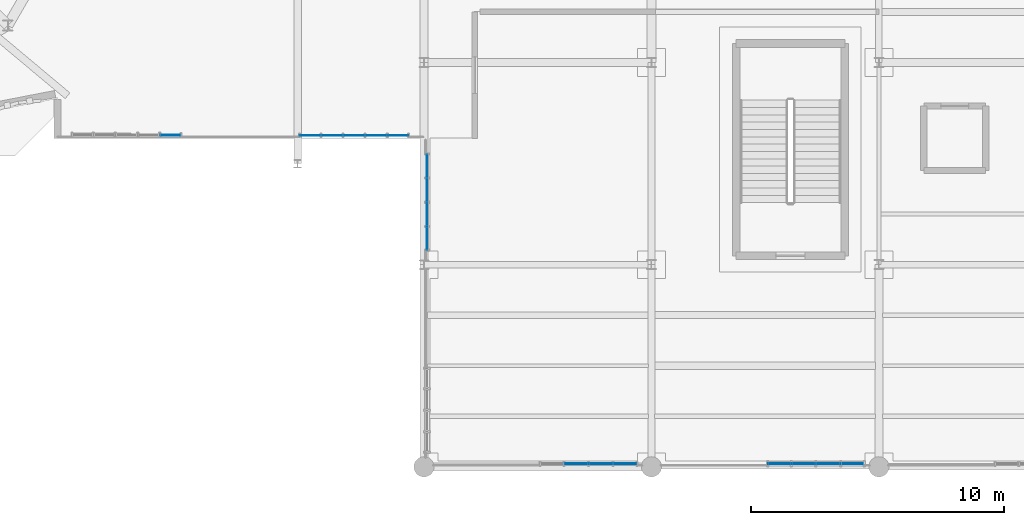
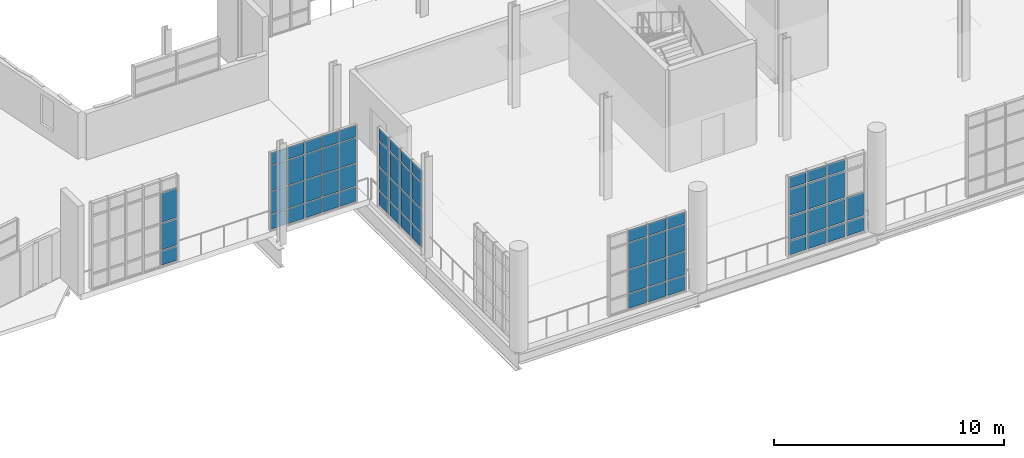
# One storey, part 106 of 142: 65 plates, 5 elements without a shape of their own.
"""IFC4 building model written with IfcOpenShell, lengths in metres."""

from ifc_helpers import new_model, si_unit, direction, frame, origin, origin_2d, place, context, subcontext, project, spatial, rectangle, extrude, material, layer, layer_set, type_object, element, aggregate, save


model = new_model("IFC4")

# Units and contexts
model_context = context("Model", 3, precision=1e-05, world=origin(), true_north=direction((0.0, 1.0)))
body_context = subcontext(model_context, "Body", "Model", "MODEL_VIEW")
ifc_project = project(units=[si_unit("LENGTHUNIT", "METRE"), si_unit("AREAUNIT", "SQUARE_METRE"), si_unit("VOLUMEUNIT", "CUBIC_METRE"), si_unit("PLANEANGLEUNIT", "RADIAN"), si_unit("MASSUNIT", "GRAM", prefix="KILO"), si_unit("THERMODYNAMICTEMPERATUREUNIT", "KELVIN"), si_unit("POWERUNIT", "WATT")], contexts=[model_context])

# Site, building, storey
site_placement = place(None, origin())
site = spatial("IfcSite", under=ifc_project, at=site_placement, CompositionType="ELEMENT")
building_placement = place(site_placement, origin())
building = spatial("IfcBuilding", under=site, at=building_placement, Name="Zelmaris Science Centre", CompositionType="ELEMENT")
storey_placement = place(building_placement, frame((0.0, 0.0, 5.39990234375)))
storey = spatial("IfcBuildingStorey", under=building, at=storey_placement, Name="L01", CompositionType="ELEMENT", Elevation=5.39990234375)

# Curtain wall, plates
ifc_material_1 = material(Name="Anodised architectural aluminium 6063-T6", Category="aluminium")
ifc_layer_1 = layer(ifc_material_1, 0.18994140625, Name="Anodised architectural aluminium 6063-T6")
ifc_layer_set_1 = layer_set([ifc_layer_1], Name="Anodised architectural aluminium 6063-T6")
curtain_wall_type_1 = type_object("IfcCurtainWallType", Name="Curtain Wall CW-01", PredefinedType="USERDEFINED", material=ifc_layer_set_1)
curtain_wall_1_placement = place(storey_placement, origin())
curtain_wall_1 = element("IfcCurtainWall", 1, at=curtain_wall_1_placement, inside=storey, type_object=curtain_wall_type_1, Name="L01 Unitised curtain wall 165", ObjectType="GLAZED CURTAIN WALL", PredefinedType="USERDEFINED")
ifc_material_2 = material(Name="Laminated hurricane-rated low-E insulated glazing", Category="glass")
ifc_layer_2 = layer(ifc_material_2, 0.031982421875, Name="Laminated hurricane-rated low-E insulated glazing")
ifc_layer_set_2 = layer_set([ifc_layer_2], Name="Laminated hurricane-rated low-E insulated glazing")
plate_type_1 = type_object("IfcPlateType", Name="Curtain Glazing Panel CWP-1 32mm", PredefinedType="CURTAIN_PANEL", material=ifc_layer_set_2)
plate_1_placement = place(storey_placement, frame((124.95458984375, 8.1201171875, 0.05712890625), z_axis=(0.0, 0.0, 1.0), x_axis=(-1.0, 0.0, 0.0)))
plate_1 = element("IfcPlate", 2, at=plate_1_placement, type_object=plate_type_1, Name="CW-01 panel 1.1", PredefinedType="CURTAIN_PANEL", context=body_context, shape_type="SweptSolid", body=[
    extrude(rectangle(XDim=0.866943359375, YDim=0.031982421875, at=origin_2d()), origin(), (0.0, 0.0, 1.0), 0.741943359375),
])
plate_2_placement = place(storey_placement, frame((124.95458984375, 8.1201171875, 0.87109375), z_axis=(0.0, 0.0, 1.0), x_axis=(-1.0, 0.0, 0.0)))
plate_2 = element("IfcPlate", 3, at=plate_2_placement, type_object=plate_type_1, Name="CW-01 panel 1.2", PredefinedType="CURTAIN_PANEL", context=body_context, shape_type="SweptSolid", body=[
    extrude(rectangle(XDim=0.866943359375, YDim=0.031982421875, at=origin_2d()), origin(), (0.0, 0.0, 1.0), 1.219970703125),
])
plate_3_placement = place(storey_placement, frame((123.99755859375, 8.1201171875, 0.05712890625), z_axis=(0.0, 0.0, 1.0), x_axis=(-1.0, 0.0, 0.0)))
plate_3 = element("IfcPlate", 4, at=plate_3_placement, type_object=plate_type_1, Name="CW-01 panel 2.1", PredefinedType="CURTAIN_PANEL", context=body_context, shape_type="SweptSolid", body=[
    extrude(rectangle(XDim=0.903076171875, YDim=0.031982421875, at=origin_2d()), origin(), (0.0, 0.0, 1.0), 0.741943359375),
])
plate_4_placement = place(storey_placement, frame((123.99755859375, 8.1201171875, 0.87109375), z_axis=(0.0, 0.0, 1.0), x_axis=(-1.0, 0.0, 0.0)))
plate_4 = element("IfcPlate", 5, at=plate_4_placement, type_object=plate_type_1, Name="CW-01 panel 2.2", PredefinedType="CURTAIN_PANEL", context=body_context, shape_type="SweptSolid", body=[
    extrude(rectangle(XDim=0.903076171875, YDim=0.031982421875, at=origin_2d()), origin(), (0.0, 0.0, 1.0), 1.219970703125),
])
plate_5_placement = place(storey_placement, frame((123.99755859375, 8.1201171875, 2.1630859375), z_axis=(0.0, 0.0, 1.0), x_axis=(-1.0, 0.0, 0.0)))
plate_5 = element("IfcPlate", 6, at=plate_5_placement, type_object=plate_type_1, Name="CW-01 panel 2.3", PredefinedType="CURTAIN_PANEL", context=body_context, shape_type="SweptSolid", body=[
    extrude(rectangle(XDim=0.903076171875, YDim=0.031982421875, at=origin_2d()), origin(), (0.0, 0.0, 1.0), 1.3701171875),
])
plate_6_placement = place(storey_placement, frame((123.99755859375, 8.1201171875, 3.60498046875), z_axis=(0.0, 0.0, 1.0), x_axis=(-1.0, 0.0, 0.0)))
plate_6 = element("IfcPlate", 7, at=plate_6_placement, type_object=plate_type_1, Name="CW-01 panel 2.4", PredefinedType="CURTAIN_PANEL", context=body_context, shape_type="SweptSolid", body=[
    extrude(rectangle(XDim=0.903076171875, YDim=0.031982421875, at=origin_2d()), origin(), (0.0, 0.0, 1.0), 0.592041015625),
])
plate_7_placement = place(storey_placement, frame((123.0224609375, 8.1201171875, 0.05712890625), z_axis=(0.0, 0.0, 1.0), x_axis=(-1.0, 0.0, 0.0)))
plate_7 = element("IfcPlate", 8, at=plate_7_placement, type_object=plate_type_1, Name="CW-01 panel 3.1", PredefinedType="CURTAIN_PANEL", context=body_context, shape_type="SweptSolid", body=[
    extrude(rectangle(XDim=0.903076171875, YDim=0.031982421875, at=origin_2d()), origin(), (0.0, 0.0, 1.0), 0.741943359375),
])
plate_8_placement = place(storey_placement, frame((123.0224609375, 8.1201171875, 0.87109375), z_axis=(0.0, 0.0, 1.0), x_axis=(-1.0, 0.0, 0.0)))
plate_8 = element("IfcPlate", 9, at=plate_8_placement, type_object=plate_type_1, Name="CW-01 panel 3.2", PredefinedType="CURTAIN_PANEL", context=body_context, shape_type="SweptSolid", body=[
    extrude(rectangle(XDim=0.903076171875, YDim=0.031982421875, at=origin_2d()), origin(), (0.0, 0.0, 1.0), 1.219970703125),
])
plate_9_placement = place(storey_placement, frame((123.0224609375, 8.1201171875, 2.1630859375), z_axis=(0.0, 0.0, 1.0), x_axis=(-1.0, 0.0, 0.0)))
plate_9 = element("IfcPlate", 10, at=plate_9_placement, type_object=plate_type_1, Name="CW-01 panel 3.3", PredefinedType="CURTAIN_PANEL", context=body_context, shape_type="SweptSolid", body=[
    extrude(rectangle(XDim=0.903076171875, YDim=0.031982421875, at=origin_2d()), origin(), (0.0, 0.0, 1.0), 1.3701171875),
])
plate_10_placement = place(storey_placement, frame((123.0224609375, 8.1201171875, 3.60498046875), z_axis=(0.0, 0.0, 1.0), x_axis=(-1.0, 0.0, 0.0)))
plate_10 = element("IfcPlate", 11, at=plate_10_placement, type_object=plate_type_1, Name="CW-01 panel 3.4", PredefinedType="CURTAIN_PANEL", context=body_context, shape_type="SweptSolid", body=[
    extrude(rectangle(XDim=0.903076171875, YDim=0.031982421875, at=origin_2d()), origin(), (0.0, 0.0, 1.0), 0.592041015625),
])
plate_11_placement = place(storey_placement, frame((122.0654296875, 8.1201171875, 0.05712890625), z_axis=(0.0, 0.0, 1.0), x_axis=(-1.0, 0.0, 0.0)))
plate_11 = element("IfcPlate", 12, at=plate_11_placement, type_object=plate_type_1, Name="CW-01 panel 4.1", PredefinedType="CURTAIN_PANEL", context=body_context, shape_type="SweptSolid", body=[
    extrude(rectangle(XDim=0.866943359375, YDim=0.031982421875, at=origin_2d()), origin(), (0.0, 0.0, 1.0), 0.741943359375),
])
plate_12_placement = place(storey_placement, frame((122.0654296875, 8.1201171875, 0.87109375), z_axis=(0.0, 0.0, 1.0), x_axis=(-1.0, 0.0, 0.0)))
plate_12 = element("IfcPlate", 13, at=plate_12_placement, type_object=plate_type_1, Name="CW-01 panel 4.2", PredefinedType="CURTAIN_PANEL", context=body_context, shape_type="SweptSolid", body=[
    extrude(rectangle(XDim=0.866943359375, YDim=0.031982421875, at=origin_2d()), origin(), (0.0, 0.0, 1.0), 1.219970703125),
])
plate_13_placement = place(storey_placement, frame((122.0654296875, 8.1201171875, 2.1630859375), z_axis=(0.0, 0.0, 1.0), x_axis=(-1.0, 0.0, 0.0)))
plate_13 = element("IfcPlate", 14, at=plate_13_placement, type_object=plate_type_1, Name="CW-01 panel 4.3", PredefinedType="CURTAIN_PANEL", context=body_context, shape_type="SweptSolid", body=[
    extrude(rectangle(XDim=0.866943359375, YDim=0.031982421875, at=origin_2d()), origin(), (0.0, 0.0, 1.0), 1.3701171875),
])
plate_14_placement = place(storey_placement, frame((122.0654296875, 8.1201171875, 3.60498046875), z_axis=(0.0, 0.0, 1.0), x_axis=(-1.0, 0.0, 0.0)))
plate_14 = element("IfcPlate", 15, at=plate_14_placement, type_object=plate_type_1, Name="CW-01 panel 4.4", PredefinedType="CURTAIN_PANEL", context=body_context, shape_type="SweptSolid", body=[
    extrude(rectangle(XDim=0.866943359375, YDim=0.031982421875, at=origin_2d()), origin(), (0.0, 0.0, 1.0), 0.592041015625),
])
aggregate(curtain_wall_1, [plate_1, plate_2, plate_3, plate_4, plate_5, plate_6, plate_7, plate_8, plate_9, plate_10, plate_11, plate_12, plate_13, plate_14])

ifc_layer_3 = layer(ifc_material_1, 0.199951171875, Name="Anodised architectural aluminium 6063-T6")
ifc_layer_set_3 = layer_set([ifc_layer_3], Name="Anodised architectural aluminium 6063-T6")
curtain_wall_type_2 = type_object("IfcCurtainWallType", Name="Curtain Wall CW-02", PredefinedType="USERDEFINED", material=ifc_layer_set_3)
curtain_wall_2_placement = place(storey_placement, origin())
curtain_wall_2 = element("IfcCurtainWall", 16, at=curtain_wall_2_placement, inside=storey, type_object=curtain_wall_type_2, Name="L01 Unitised curtain wall 174", ObjectType="GLAZED CURTAIN WALL", PredefinedType="USERDEFINED")
ifc_layer_4 = layer(ifc_material_2, 0.028076171875, Name="Laminated hurricane-rated low-E insulated glazing")
ifc_layer_set_4 = layer_set([ifc_layer_4], Name="Laminated hurricane-rated low-E insulated glazing")
plate_type_2 = type_object("IfcPlateType", Name="Curtain Glazing Panel CWP-2 28mm", PredefinedType="CURTAIN_PANEL", material=ifc_layer_set_4)
plate_15_placement = place(storey_placement, frame((97.966064453125, 21.11865234375, 0.052001953125), z_axis=(0.0, 0.0, 1.0), x_axis=(-0.999999948938, 0.00031956903, 0.0)))
plate_15 = element("IfcPlate", 17, at=plate_15_placement, type_object=plate_type_2, Name="CW-02 panel 1.1", PredefinedType="CURTAIN_PANEL", context=body_context, shape_type="SweptSolid", body=[
    extrude(rectangle(XDim=0.775634765625, YDim=0.028076171875, at=origin_2d()), origin(), (0.0, 0.0, 1.0), 0.74951171875),
])
plate_16_placement = place(storey_placement, frame((97.966064453125, 21.11865234375, 0.86865234375), z_axis=(0.0, 0.0, 1.0), x_axis=(-0.999999948938, 0.00031956903, 0.0)))
plate_16 = element("IfcPlate", 18, at=plate_16_placement, type_object=plate_type_2, Name="CW-02 panel 1.2", PredefinedType="CURTAIN_PANEL", context=body_context, shape_type="SweptSolid", body=[
    extrude(rectangle(XDim=0.775634765625, YDim=0.028076171875, at=origin_2d()), origin(), (0.0, 0.0, 1.0), 1.400390625),
])
plate_17_placement = place(storey_placement, frame((97.966064453125, 21.11865234375, 2.3359375), z_axis=(0.0, 0.0, 1.0), x_axis=(-0.999999948938, 0.00031956903, 0.0)))
plate_17 = element("IfcPlate", 19, at=plate_17_placement, type_object=plate_type_2, Name="CW-02 panel 1.3", PredefinedType="CURTAIN_PANEL", context=body_context, shape_type="SweptSolid", body=[
    extrude(rectangle(XDim=0.775634765625, YDim=0.028076171875, at=origin_2d()), origin(), (0.0, 0.0, 1.0), 1.550537109375),
])
aggregate(curtain_wall_2, [plate_15, plate_16, plate_17])

ifc_layer_5 = layer(ifc_material_1, 0.2099609375, Name="Anodised architectural aluminium 6063-T6")
ifc_layer_set_5 = layer_set([ifc_layer_5], Name="Anodised architectural aluminium 6063-T6")
curtain_wall_type_3 = type_object("IfcCurtainWallType", Name="Curtain Wall CW-03", PredefinedType="USERDEFINED", material=ifc_layer_set_5)
curtain_wall_3_placement = place(storey_placement, origin())
curtain_wall_3 = element("IfcCurtainWall", 20, at=curtain_wall_3_placement, inside=storey, type_object=curtain_wall_type_3, Name="L01 Unitised curtain wall 167", ObjectType="GLAZED CURTAIN WALL", PredefinedType="USERDEFINED")
ifc_layer_6 = layer(ifc_material_2, 0.02587890625, Name="Laminated hurricane-rated low-E insulated glazing")
ifc_layer_set_6 = layer_set([ifc_layer_6], Name="Laminated hurricane-rated low-E insulated glazing")
plate_type_3 = type_object("IfcPlateType", Name="Curtain Glazing Panel CWP-3 26mm", PredefinedType="CURTAIN_PANEL", material=ifc_layer_set_6)
plate_18_placement = place(storey_placement, frame((115.958251953125, 8.1201171875, 0.0419921875), z_axis=(0.0, 0.0, 1.0), x_axis=(-1.0, 0.0, 0.0)))
plate_18 = element("IfcPlate", 21, at=plate_18_placement, type_object=plate_type_3, Name="CW-03 panel 1.1", PredefinedType="CURTAIN_PANEL", context=body_context, shape_type="SweptSolid", body=[
    extrude(rectangle(XDim=0.889404296875, YDim=0.02587890625, at=origin_2d()), origin(), (0.0, 0.0, 1.0), 0.764404296875),
])
plate_19_placement = place(storey_placement, frame((115.958251953125, 8.1201171875, 0.86376953125), z_axis=(0.0, 0.0, 1.0), x_axis=(-1.0, 0.0, 0.0)))
plate_19 = element("IfcPlate", 22, at=plate_19_placement, type_object=plate_type_3, Name="CW-03 panel 1.2", PredefinedType="CURTAIN_PANEL", context=body_context, shape_type="SweptSolid", body=[
    extrude(rectangle(XDim=0.889404296875, YDim=0.02587890625, at=origin_2d()), origin(), (0.0, 0.0, 1.0), 1.223388671875),
])
plate_20_placement = place(storey_placement, frame((115.958251953125, 8.1201171875, 2.14404296875), z_axis=(0.0, 0.0, 1.0), x_axis=(-1.0, 0.0, 0.0)))
plate_20 = element("IfcPlate", 23, at=plate_20_placement, type_object=plate_type_3, Name="CW-03 panel 1.3", PredefinedType="CURTAIN_PANEL", context=body_context, shape_type="SweptSolid", body=[
    extrude(rectangle(XDim=0.889404296875, YDim=0.02587890625, at=origin_2d()), origin(), (0.0, 0.0, 1.0), 1.37353515625),
])
plate_21_placement = place(storey_placement, frame((115.958251953125, 8.1201171875, 3.57470703125), z_axis=(0.0, 0.0, 1.0), x_axis=(-1.0, 0.0, 0.0)))
plate_21 = element("IfcPlate", 24, at=plate_21_placement, type_object=plate_type_3, Name="CW-03 panel 1.4", PredefinedType="CURTAIN_PANEL", context=body_context, shape_type="SweptSolid", body=[
    extrude(rectangle(XDim=0.889404296875, YDim=0.02587890625, at=origin_2d()), origin(), (0.0, 0.0, 1.0), 0.614501953125),
])
plate_22_placement = place(storey_placement, frame((114.99755859375, 8.1201171875, 0.0419921875), z_axis=(0.0, 0.0, 1.0), x_axis=(-1.0, 0.0, 0.0)))
plate_22 = element("IfcPlate", 25, at=plate_22_placement, type_object=plate_type_3, Name="CW-03 panel 2.1", PredefinedType="CURTAIN_PANEL", context=body_context, shape_type="SweptSolid", body=[
    extrude(rectangle(XDim=0.91796875, YDim=0.02587890625, at=origin_2d()), origin(), (0.0, 0.0, 1.0), 0.764404296875),
])
plate_23_placement = place(storey_placement, frame((114.99755859375, 8.1201171875, 0.86376953125), z_axis=(0.0, 0.0, 1.0), x_axis=(-1.0, 0.0, 0.0)))
plate_23 = element("IfcPlate", 26, at=plate_23_placement, type_object=plate_type_3, Name="CW-03 panel 2.2", PredefinedType="CURTAIN_PANEL", context=body_context, shape_type="SweptSolid", body=[
    extrude(rectangle(XDim=0.91796875, YDim=0.02587890625, at=origin_2d()), origin(), (0.0, 0.0, 1.0), 1.223388671875),
])
plate_24_placement = place(storey_placement, frame((114.99755859375, 8.1201171875, 2.14404296875), z_axis=(0.0, 0.0, 1.0), x_axis=(-1.0, 0.0, 0.0)))
plate_24 = element("IfcPlate", 27, at=plate_24_placement, type_object=plate_type_3, Name="CW-03 panel 2.3", PredefinedType="CURTAIN_PANEL", context=body_context, shape_type="SweptSolid", body=[
    extrude(rectangle(XDim=0.91796875, YDim=0.02587890625, at=origin_2d()), origin(), (0.0, 0.0, 1.0), 1.37353515625),
])
plate_25_placement = place(storey_placement, frame((114.99755859375, 8.1201171875, 3.57470703125), z_axis=(0.0, 0.0, 1.0), x_axis=(-1.0, 0.0, 0.0)))
plate_25 = element("IfcPlate", 28, at=plate_25_placement, type_object=plate_type_3, Name="CW-03 panel 2.4", PredefinedType="CURTAIN_PANEL", context=body_context, shape_type="SweptSolid", body=[
    extrude(rectangle(XDim=0.91796875, YDim=0.02587890625, at=origin_2d()), origin(), (0.0, 0.0, 1.0), 0.614501953125),
])
plate_26_placement = place(storey_placement, frame((114.0224609375, 8.1201171875, 0.0419921875), z_axis=(0.0, 0.0, 1.0), x_axis=(-1.0, 0.0, 0.0)))
plate_26 = element("IfcPlate", 29, at=plate_26_placement, type_object=plate_type_3, Name="CW-03 panel 3.1", PredefinedType="CURTAIN_PANEL", context=body_context, shape_type="SweptSolid", body=[
    extrude(rectangle(XDim=0.91796875, YDim=0.02587890625, at=origin_2d()), origin(), (0.0, 0.0, 1.0), 0.764404296875),
])
plate_27_placement = place(storey_placement, frame((114.0224609375, 8.1201171875, 0.86376953125), z_axis=(0.0, 0.0, 1.0), x_axis=(-1.0, 0.0, 0.0)))
plate_27 = element("IfcPlate", 30, at=plate_27_placement, type_object=plate_type_3, Name="CW-03 panel 3.2", PredefinedType="CURTAIN_PANEL", context=body_context, shape_type="SweptSolid", body=[
    extrude(rectangle(XDim=0.91796875, YDim=0.02587890625, at=origin_2d()), origin(), (0.0, 0.0, 1.0), 1.223388671875),
])
plate_28_placement = place(storey_placement, frame((114.0224609375, 8.1201171875, 2.14404296875), z_axis=(0.0, 0.0, 1.0), x_axis=(-1.0, 0.0, 0.0)))
plate_28 = element("IfcPlate", 31, at=plate_28_placement, type_object=plate_type_3, Name="CW-03 panel 3.3", PredefinedType="CURTAIN_PANEL", context=body_context, shape_type="SweptSolid", body=[
    extrude(rectangle(XDim=0.91796875, YDim=0.02587890625, at=origin_2d()), origin(), (0.0, 0.0, 1.0), 1.37353515625),
])
plate_29_placement = place(storey_placement, frame((114.0224609375, 8.1201171875, 3.57470703125), z_axis=(0.0, 0.0, 1.0), x_axis=(-1.0, 0.0, 0.0)))
plate_29 = element("IfcPlate", 32, at=plate_29_placement, type_object=plate_type_3, Name="CW-03 panel 3.4", PredefinedType="CURTAIN_PANEL", context=body_context, shape_type="SweptSolid", body=[
    extrude(rectangle(XDim=0.91796875, YDim=0.02587890625, at=origin_2d()), origin(), (0.0, 0.0, 1.0), 0.614501953125),
])
aggregate(curtain_wall_3, [plate_18, plate_19, plate_20, plate_21, plate_22, plate_23, plate_24, plate_25, plate_26, plate_27, plate_28, plate_29])

curtain_wall_4_placement = place(storey_placement, origin())
curtain_wall_4 = element("IfcCurtainWall", 33, at=curtain_wall_4_placement, inside=storey, type_object=curtain_wall_type_3, Name="L01 Unitised curtain wall 171", ObjectType="GLAZED CURTAIN WALL", PredefinedType="USERDEFINED")
plate_30_placement = place(storey_placement, frame((108.1201171875, 17.036865234375, 0.0419921875), z_axis=(0.0, 0.0, 1.0), x_axis=(0.0, 1.0, 0.0)))
plate_30 = element("IfcPlate", 34, at=plate_30_placement, type_object=plate_type_3, Name="CW-03 panel 1.1", PredefinedType="CURTAIN_PANEL", context=body_context, shape_type="SweptSolid", body=[
    extrude(rectangle(XDim=0.87939453125, YDim=0.02587890625, at=origin_2d()), origin(), (0.0, 0.0, 1.0), 0.764404296875),
])
plate_31_placement = place(storey_placement, frame((108.1201171875, 17.036865234375, 0.86376953125), z_axis=(0.0, 0.0, 1.0), x_axis=(0.0, 1.0, 0.0)))
plate_31 = element("IfcPlate", 35, at=plate_31_placement, type_object=plate_type_3, Name="CW-03 panel 1.2", PredefinedType="CURTAIN_PANEL", context=body_context, shape_type="SweptSolid", body=[
    extrude(rectangle(XDim=0.87939453125, YDim=0.02587890625, at=origin_2d()), origin(), (0.0, 0.0, 1.0), 1.193603515625),
])
plate_32_placement = place(storey_placement, frame((108.1201171875, 17.036865234375, 2.1142578125), z_axis=(0.0, 0.0, 1.0), x_axis=(0.0, 1.0, 0.0)))
plate_32 = element("IfcPlate", 36, at=plate_32_placement, type_object=plate_type_3, Name="CW-03 panel 1.3", PredefinedType="CURTAIN_PANEL", context=body_context, shape_type="SweptSolid", body=[
    extrude(rectangle(XDim=0.87939453125, YDim=0.02587890625, at=origin_2d()), origin(), (0.0, 0.0, 1.0), 1.343505859375),
])
plate_33_placement = place(storey_placement, frame((108.1201171875, 17.036865234375, 3.5146484375), z_axis=(0.0, 0.0, 1.0), x_axis=(0.0, 1.0, 0.0)))
plate_33 = element("IfcPlate", 37, at=plate_33_placement, type_object=plate_type_3, Name="CW-03 panel 1.4", PredefinedType="CURTAIN_PANEL", context=body_context, shape_type="SweptSolid", body=[
    extrude(rectangle(XDim=0.87939453125, YDim=0.02587890625, at=origin_2d()), origin(), (0.0, 0.0, 1.0), 0.614501953125),
])
plate_34_placement = place(storey_placement, frame((108.1201171875, 17.987548828125, 0.0419921875), z_axis=(0.0, 0.0, 1.0), x_axis=(0.0, 1.0, 0.0)))
plate_34 = element("IfcPlate", 38, at=plate_34_placement, type_object=plate_type_3, Name="CW-03 panel 2.1", PredefinedType="CURTAIN_PANEL", context=body_context, shape_type="SweptSolid", body=[
    extrude(rectangle(XDim=0.907958984375, YDim=0.02587890625, at=origin_2d()), origin(), (0.0, 0.0, 1.0), 0.764404296875),
])
plate_35_placement = place(storey_placement, frame((108.1201171875, 17.987548828125, 0.86376953125), z_axis=(0.0, 0.0, 1.0), x_axis=(0.0, 1.0, 0.0)))
plate_35 = element("IfcPlate", 39, at=plate_35_placement, type_object=plate_type_3, Name="CW-03 panel 2.2", PredefinedType="CURTAIN_PANEL", context=body_context, shape_type="SweptSolid", body=[
    extrude(rectangle(XDim=0.907958984375, YDim=0.02587890625, at=origin_2d()), origin(), (0.0, 0.0, 1.0), 1.193603515625),
])
plate_36_placement = place(storey_placement, frame((108.1201171875, 17.987548828125, 2.1142578125), z_axis=(0.0, 0.0, 1.0), x_axis=(0.0, 1.0, 0.0)))
plate_36 = element("IfcPlate", 40, at=plate_36_placement, type_object=plate_type_3, Name="CW-03 panel 2.3", PredefinedType="CURTAIN_PANEL", context=body_context, shape_type="SweptSolid", body=[
    extrude(rectangle(XDim=0.907958984375, YDim=0.02587890625, at=origin_2d()), origin(), (0.0, 0.0, 1.0), 1.343505859375),
])
plate_37_placement = place(storey_placement, frame((108.1201171875, 17.987548828125, 3.5146484375), z_axis=(0.0, 0.0, 1.0), x_axis=(0.0, 1.0, 0.0)))
plate_37 = element("IfcPlate", 41, at=plate_37_placement, type_object=plate_type_3, Name="CW-03 panel 2.4", PredefinedType="CURTAIN_PANEL", context=body_context, shape_type="SweptSolid", body=[
    extrude(rectangle(XDim=0.907958984375, YDim=0.02587890625, at=origin_2d()), origin(), (0.0, 0.0, 1.0), 0.614501953125),
])
plate_38_placement = place(storey_placement, frame((108.1201171875, 18.952392578125, 0.0419921875), z_axis=(0.0, 0.0, 1.0), x_axis=(0.0, 1.0, 0.0)))
plate_38 = element("IfcPlate", 42, at=plate_38_placement, type_object=plate_type_3, Name="CW-03 panel 3.1", PredefinedType="CURTAIN_PANEL", context=body_context, shape_type="SweptSolid", body=[
    extrude(rectangle(XDim=0.907958984375, YDim=0.02587890625, at=origin_2d()), origin(), (0.0, 0.0, 1.0), 0.764404296875),
])
plate_39_placement = place(storey_placement, frame((108.1201171875, 18.952392578125, 0.86376953125), z_axis=(0.0, 0.0, 1.0), x_axis=(0.0, 1.0, 0.0)))
plate_39 = element("IfcPlate", 43, at=plate_39_placement, type_object=plate_type_3, Name="CW-03 panel 3.2", PredefinedType="CURTAIN_PANEL", context=body_context, shape_type="SweptSolid", body=[
    extrude(rectangle(XDim=0.907958984375, YDim=0.02587890625, at=origin_2d()), origin(), (0.0, 0.0, 1.0), 1.193603515625),
])
plate_40_placement = place(storey_placement, frame((108.1201171875, 18.952392578125, 2.1142578125), z_axis=(0.0, 0.0, 1.0), x_axis=(0.0, 1.0, 0.0)))
plate_40 = element("IfcPlate", 44, at=plate_40_placement, type_object=plate_type_3, Name="CW-03 panel 3.3", PredefinedType="CURTAIN_PANEL", context=body_context, shape_type="SweptSolid", body=[
    extrude(rectangle(XDim=0.907958984375, YDim=0.02587890625, at=origin_2d()), origin(), (0.0, 0.0, 1.0), 1.343505859375),
])
plate_41_placement = place(storey_placement, frame((108.1201171875, 18.952392578125, 3.5146484375), z_axis=(0.0, 0.0, 1.0), x_axis=(0.0, 1.0, 0.0)))
plate_41 = element("IfcPlate", 45, at=plate_41_placement, type_object=plate_type_3, Name="CW-03 panel 3.4", PredefinedType="CURTAIN_PANEL", context=body_context, shape_type="SweptSolid", body=[
    extrude(rectangle(XDim=0.907958984375, YDim=0.02587890625, at=origin_2d()), origin(), (0.0, 0.0, 1.0), 0.614501953125),
])
plate_42_placement = place(storey_placement, frame((108.1201171875, 19.9033203125, 0.0419921875), z_axis=(0.0, 0.0, 1.0), x_axis=(0.0, 1.0, 0.0)))
plate_42 = element("IfcPlate", 46, at=plate_42_placement, type_object=plate_type_3, Name="CW-03 panel 4.1", PredefinedType="CURTAIN_PANEL", context=body_context, shape_type="SweptSolid", body=[
    extrude(rectangle(XDim=0.87939453125, YDim=0.02587890625, at=origin_2d()), origin(), (0.0, 0.0, 1.0), 0.764404296875),
])
plate_43_placement = place(storey_placement, frame((108.1201171875, 19.9033203125, 0.86376953125), z_axis=(0.0, 0.0, 1.0), x_axis=(0.0, 1.0, 0.0)))
plate_43 = element("IfcPlate", 47, at=plate_43_placement, type_object=plate_type_3, Name="CW-03 panel 4.2", PredefinedType="CURTAIN_PANEL", context=body_context, shape_type="SweptSolid", body=[
    extrude(rectangle(XDim=0.87939453125, YDim=0.02587890625, at=origin_2d()), origin(), (0.0, 0.0, 1.0), 1.193603515625),
])
plate_44_placement = place(storey_placement, frame((108.1201171875, 19.9033203125, 2.1142578125), z_axis=(0.0, 0.0, 1.0), x_axis=(0.0, 1.0, 0.0)))
plate_44 = element("IfcPlate", 48, at=plate_44_placement, type_object=plate_type_3, Name="CW-03 panel 4.3", PredefinedType="CURTAIN_PANEL", context=body_context, shape_type="SweptSolid", body=[
    extrude(rectangle(XDim=0.87939453125, YDim=0.02587890625, at=origin_2d()), origin(), (0.0, 0.0, 1.0), 1.343505859375),
])
plate_45_placement = place(storey_placement, frame((108.1201171875, 19.9033203125, 3.5146484375), z_axis=(0.0, 0.0, 1.0), x_axis=(0.0, 1.0, 0.0)))
plate_45 = element("IfcPlate", 49, at=plate_45_placement, type_object=plate_type_3, Name="CW-03 panel 4.4", PredefinedType="CURTAIN_PANEL", context=body_context, shape_type="SweptSolid", body=[
    extrude(rectangle(XDim=0.87939453125, YDim=0.02587890625, at=origin_2d()), origin(), (0.0, 0.0, 1.0), 0.614501953125),
])
aggregate(curtain_wall_4, [plate_30, plate_31, plate_32, plate_33, plate_34, plate_35, plate_36, plate_37, plate_38, plate_39, plate_40, plate_41, plate_42, plate_43, plate_44, plate_45])

ifc_layer_7 = layer(ifc_material_1, 0.219970703125, Name="Anodised architectural aluminium 6063-T6")
ifc_layer_set_7 = layer_set([ifc_layer_7], Name="Anodised architectural aluminium 6063-T6")
curtain_wall_type_4 = type_object("IfcCurtainWallType", Name="Curtain Wall CW-04", PredefinedType="USERDEFINED", material=ifc_layer_set_7)
curtain_wall_5_placement = place(storey_placement, origin())
curtain_wall_5 = element("IfcCurtainWall", 50, at=curtain_wall_5_placement, inside=storey, type_object=curtain_wall_type_4, Name="L01 Unitised curtain wall 172", ObjectType="GLAZED CURTAIN WALL", PredefinedType="USERDEFINED")
ifc_layer_8 = layer(ifc_material_2, 0.02392578125, Name="Laminated hurricane-rated low-E insulated glazing")
ifc_layer_set_8 = layer_set([ifc_layer_8], Name="Laminated hurricane-rated low-E insulated glazing")
plate_type_4 = type_object("IfcPlateType", Name="Curtain Glazing Panel CWP-4 24mm", PredefinedType="CURTAIN_PANEL", material=ifc_layer_set_8)
plate_46_placement = place(storey_placement, frame((106.971923828125, 21.11572265625, 0.037109375), z_axis=(0.0, 0.0, 1.0), x_axis=(-0.99999994894, 0.000319561735, 0.0)))
plate_46 = element("IfcPlate", 51, at=plate_46_placement, type_object=plate_type_4, Name="CW-04 panel 1.1", PredefinedType="CURTAIN_PANEL", context=body_context, shape_type="SweptSolid", body=[
    extrude(rectangle(XDim=0.798095703125, YDim=0.02392578125, at=origin_2d()), origin(), (0.0, 0.0, 1.0), 0.77197265625),
])
plate_47_placement = place(storey_placement, frame((106.971923828125, 21.11572265625, 0.86083984375), z_axis=(0.0, 0.0, 1.0), x_axis=(-0.99999994894, 0.000319561735, 0.0)))
plate_47 = element("IfcPlate", 52, at=plate_47_placement, type_object=plate_type_4, Name="CW-04 panel 1.2", PredefinedType="CURTAIN_PANEL", context=body_context, shape_type="SweptSolid", body=[
    extrude(rectangle(XDim=0.798095703125, YDim=0.02392578125, at=origin_2d()), origin(), (0.0, 0.0, 1.0), 1.172119140625),
])
plate_48_placement = place(storey_placement, frame((106.971923828125, 21.11572265625, 2.0849609375), z_axis=(0.0, 0.0, 1.0), x_axis=(-0.99999994894, 0.000319561735, 0.0)))
plate_48 = element("IfcPlate", 53, at=plate_48_placement, type_object=plate_type_4, Name="CW-04 panel 1.3", PredefinedType="CURTAIN_PANEL", context=body_context, shape_type="SweptSolid", body=[
    extrude(rectangle(XDim=0.798095703125, YDim=0.02392578125, at=origin_2d()), origin(), (0.0, 0.0, 1.0), 1.322021484375),
])
plate_49_placement = place(storey_placement, frame((106.971923828125, 21.11572265625, 3.458984375), z_axis=(0.0, 0.0, 1.0), x_axis=(-0.99999994894, 0.000319561735, 0.0)))
plate_49 = element("IfcPlate", 54, at=plate_49_placement, type_object=plate_type_4, Name="CW-04 panel 1.4", PredefinedType="CURTAIN_PANEL", context=body_context, shape_type="SweptSolid", body=[
    extrude(rectangle(XDim=0.798095703125, YDim=0.02392578125, at=origin_2d()), origin(), (0.0, 0.0, 1.0), 0.6220703125),
])
plate_50_placement = place(storey_placement, frame((106.108642578125, 21.115966796875, 0.037109375), z_axis=(0.0, 0.0, 1.0), x_axis=(-0.99999994894, 0.000319561735, 0.0)))
plate_50 = element("IfcPlate", 55, at=plate_50_placement, type_object=plate_type_4, Name="CW-04 panel 2.1", PredefinedType="CURTAIN_PANEL", context=body_context, shape_type="SweptSolid", body=[
    extrude(rectangle(XDim=0.82421875, YDim=0.02392578125, at=origin_2d()), origin(), (0.0, 0.0, 1.0), 0.77197265625),
])
plate_51_placement = place(storey_placement, frame((106.108642578125, 21.115966796875, 0.86083984375), z_axis=(0.0, 0.0, 1.0), x_axis=(-0.99999994894, 0.000319561735, 0.0)))
plate_51 = element("IfcPlate", 56, at=plate_51_placement, type_object=plate_type_4, Name="CW-04 panel 2.2", PredefinedType="CURTAIN_PANEL", context=body_context, shape_type="SweptSolid", body=[
    extrude(rectangle(XDim=0.82421875, YDim=0.02392578125, at=origin_2d()), origin(), (0.0, 0.0, 1.0), 1.172119140625),
])
plate_52_placement = place(storey_placement, frame((106.108642578125, 21.115966796875, 2.0849609375), z_axis=(0.0, 0.0, 1.0), x_axis=(-0.99999994894, 0.000319561735, 0.0)))
plate_52 = element("IfcPlate", 57, at=plate_52_placement, type_object=plate_type_4, Name="CW-04 panel 2.3", PredefinedType="CURTAIN_PANEL", context=body_context, shape_type="SweptSolid", body=[
    extrude(rectangle(XDim=0.82421875, YDim=0.02392578125, at=origin_2d()), origin(), (0.0, 0.0, 1.0), 1.322021484375),
])
plate_53_placement = place(storey_placement, frame((106.108642578125, 21.115966796875, 3.458984375), z_axis=(0.0, 0.0, 1.0), x_axis=(-0.99999994894, 0.000319561735, 0.0)))
plate_53 = element("IfcPlate", 58, at=plate_53_placement, type_object=plate_type_4, Name="CW-04 panel 2.4", PredefinedType="CURTAIN_PANEL", context=body_context, shape_type="SweptSolid", body=[
    extrude(rectangle(XDim=0.82421875, YDim=0.02392578125, at=origin_2d()), origin(), (0.0, 0.0, 1.0), 0.6220703125),
])
plate_54_placement = place(storey_placement, frame((105.232421875, 21.1162109375, 0.037109375), z_axis=(0.0, 0.0, 1.0), x_axis=(-0.99999994894, 0.000319561735, 0.0)))
plate_54 = element("IfcPlate", 59, at=plate_54_placement, type_object=plate_type_4, Name="CW-04 panel 3.1", PredefinedType="CURTAIN_PANEL", context=body_context, shape_type="SweptSolid", body=[
    extrude(rectangle(XDim=0.82421875, YDim=0.02392578125, at=origin_2d()), origin(), (0.0, 0.0, 1.0), 0.77197265625),
])
plate_55_placement = place(storey_placement, frame((105.232421875, 21.1162109375, 0.86083984375), z_axis=(0.0, 0.0, 1.0), x_axis=(-0.99999994894, 0.000319561735, 0.0)))
plate_55 = element("IfcPlate", 60, at=plate_55_placement, type_object=plate_type_4, Name="CW-04 panel 3.2", PredefinedType="CURTAIN_PANEL", context=body_context, shape_type="SweptSolid", body=[
    extrude(rectangle(XDim=0.82421875, YDim=0.02392578125, at=origin_2d()), origin(), (0.0, 0.0, 1.0), 1.172119140625),
])
plate_56_placement = place(storey_placement, frame((105.232421875, 21.1162109375, 2.0849609375), z_axis=(0.0, 0.0, 1.0), x_axis=(-0.99999994894, 0.000319561735, 0.0)))
plate_56 = element("IfcPlate", 61, at=plate_56_placement, type_object=plate_type_4, Name="CW-04 panel 3.3", PredefinedType="CURTAIN_PANEL", context=body_context, shape_type="SweptSolid", body=[
    extrude(rectangle(XDim=0.82421875, YDim=0.02392578125, at=origin_2d()), origin(), (0.0, 0.0, 1.0), 1.322021484375),
])
plate_57_placement = place(storey_placement, frame((105.232421875, 21.1162109375, 3.458984375), z_axis=(0.0, 0.0, 1.0), x_axis=(-0.99999994894, 0.000319561735, 0.0)))
plate_57 = element("IfcPlate", 62, at=plate_57_placement, type_object=plate_type_4, Name="CW-04 panel 3.4", PredefinedType="CURTAIN_PANEL", context=body_context, shape_type="SweptSolid", body=[
    extrude(rectangle(XDim=0.82421875, YDim=0.02392578125, at=origin_2d()), origin(), (0.0, 0.0, 1.0), 0.6220703125),
])
plate_58_placement = place(storey_placement, frame((104.356201171875, 21.11669921875, 0.037109375), z_axis=(0.0, 0.0, 1.0), x_axis=(-0.99999994894, 0.000319561735, 0.0)))
plate_58 = element("IfcPlate", 63, at=plate_58_placement, type_object=plate_type_4, Name="CW-04 panel 4.1", PredefinedType="CURTAIN_PANEL", context=body_context, shape_type="SweptSolid", body=[
    extrude(rectangle(XDim=0.82421875, YDim=0.02392578125, at=origin_2d()), origin(), (0.0, 0.0, 1.0), 0.77197265625),
])
plate_59_placement = place(storey_placement, frame((104.356201171875, 21.11669921875, 0.86083984375), z_axis=(0.0, 0.0, 1.0), x_axis=(-0.99999994894, 0.000319561735, 0.0)))
plate_59 = element("IfcPlate", 64, at=plate_59_placement, type_object=plate_type_4, Name="CW-04 panel 4.2", PredefinedType="CURTAIN_PANEL", context=body_context, shape_type="SweptSolid", body=[
    extrude(rectangle(XDim=0.82421875, YDim=0.02392578125, at=origin_2d()), origin(), (0.0, 0.0, 1.0), 1.172119140625),
])
plate_60_placement = place(storey_placement, frame((104.356201171875, 21.11669921875, 2.0849609375), z_axis=(0.0, 0.0, 1.0), x_axis=(-0.99999994894, 0.000319561735, 0.0)))
plate_60 = element("IfcPlate", 65, at=plate_60_placement, type_object=plate_type_4, Name="CW-04 panel 4.3", PredefinedType="CURTAIN_PANEL", context=body_context, shape_type="SweptSolid", body=[
    extrude(rectangle(XDim=0.82421875, YDim=0.02392578125, at=origin_2d()), origin(), (0.0, 0.0, 1.0), 1.322021484375),
])
plate_61_placement = place(storey_placement, frame((104.356201171875, 21.11669921875, 3.458984375), z_axis=(0.0, 0.0, 1.0), x_axis=(-0.99999994894, 0.000319561735, 0.0)))
plate_61 = element("IfcPlate", 66, at=plate_61_placement, type_object=plate_type_4, Name="CW-04 panel 4.4", PredefinedType="CURTAIN_PANEL", context=body_context, shape_type="SweptSolid", body=[
    extrude(rectangle(XDim=0.82421875, YDim=0.02392578125, at=origin_2d()), origin(), (0.0, 0.0, 1.0), 0.6220703125),
])
plate_62_placement = place(storey_placement, frame((103.4931640625, 21.116943359375, 0.037109375), z_axis=(0.0, 0.0, 1.0), x_axis=(-0.99999994894, 0.000319561735, 0.0)))
plate_62 = element("IfcPlate", 67, at=plate_62_placement, type_object=plate_type_4, Name="CW-04 panel 5.1", PredefinedType="CURTAIN_PANEL", context=body_context, shape_type="SweptSolid", body=[
    extrude(rectangle(XDim=0.798095703125, YDim=0.02392578125, at=origin_2d()), origin(), (0.0, 0.0, 1.0), 0.77197265625),
])
plate_63_placement = place(storey_placement, frame((103.4931640625, 21.116943359375, 0.86083984375), z_axis=(0.0, 0.0, 1.0), x_axis=(-0.99999994894, 0.000319561735, 0.0)))
plate_63 = element("IfcPlate", 68, at=plate_63_placement, type_object=plate_type_4, Name="CW-04 panel 5.2", PredefinedType="CURTAIN_PANEL", context=body_context, shape_type="SweptSolid", body=[
    extrude(rectangle(XDim=0.798095703125, YDim=0.02392578125, at=origin_2d()), origin(), (0.0, 0.0, 1.0), 1.172119140625),
])
plate_64_placement = place(storey_placement, frame((103.4931640625, 21.116943359375, 2.0849609375), z_axis=(0.0, 0.0, 1.0), x_axis=(-0.99999994894, 0.000319561735, 0.0)))
plate_64 = element("IfcPlate", 69, at=plate_64_placement, type_object=plate_type_4, Name="CW-04 panel 5.3", PredefinedType="CURTAIN_PANEL", context=body_context, shape_type="SweptSolid", body=[
    extrude(rectangle(XDim=0.798095703125, YDim=0.02392578125, at=origin_2d()), origin(), (0.0, 0.0, 1.0), 1.322021484375),
])
plate_65_placement = place(storey_placement, frame((103.4931640625, 21.116943359375, 3.458984375), z_axis=(0.0, 0.0, 1.0), x_axis=(-0.99999994894, 0.000319561735, 0.0)))
plate_65 = element("IfcPlate", 70, at=plate_65_placement, type_object=plate_type_4, Name="CW-04 panel 5.4", PredefinedType="CURTAIN_PANEL", context=body_context, shape_type="SweptSolid", body=[
    extrude(rectangle(XDim=0.798095703125, YDim=0.02392578125, at=origin_2d()), origin(), (0.0, 0.0, 1.0), 0.6220703125),
])
aggregate(curtain_wall_5, [plate_46, plate_47, plate_48, plate_49, plate_50, plate_51, plate_52, plate_53, plate_54, plate_55, plate_56, plate_57, plate_58, plate_59, plate_60, plate_61, plate_62, plate_63, plate_64, plate_65])

save(model, "model.ifc")
